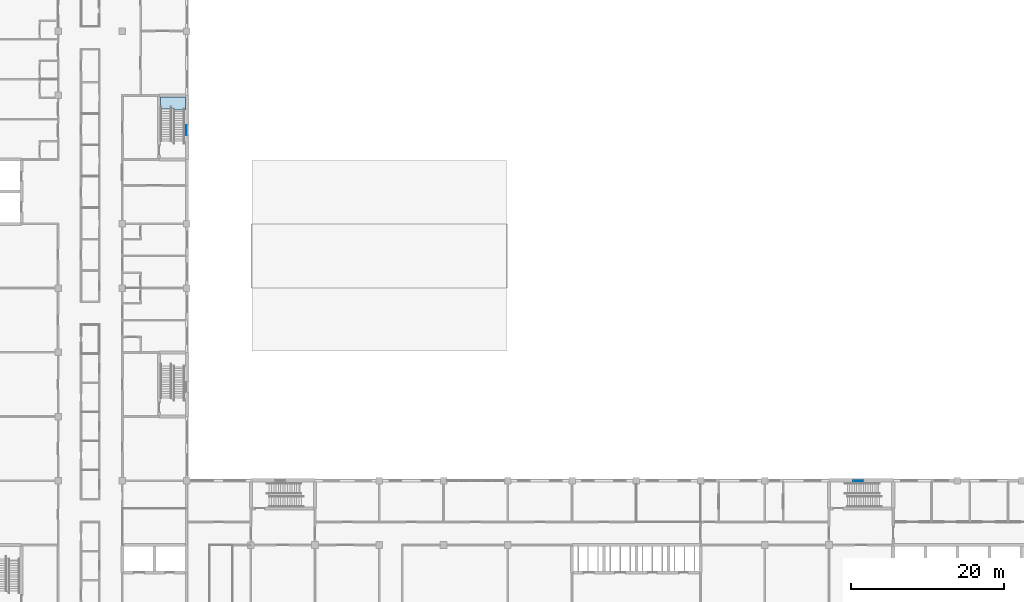
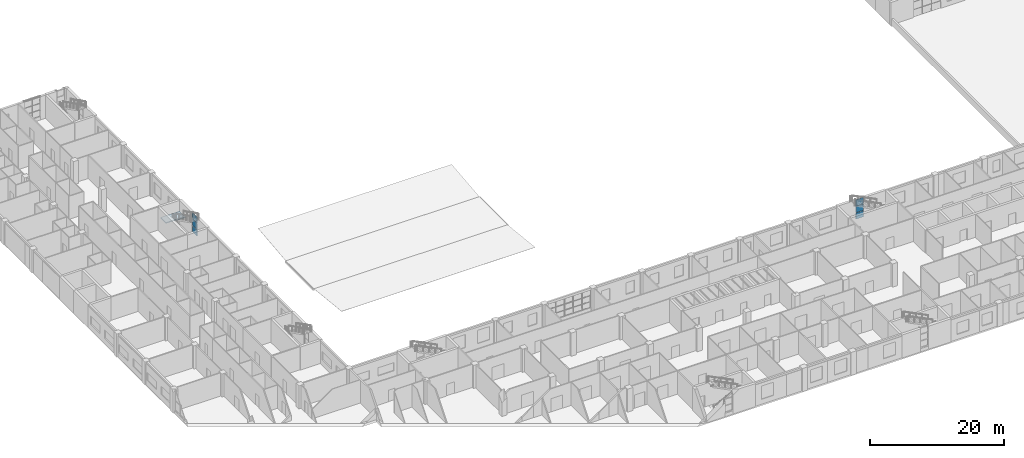
# One storey, part 28 of 66: 6 plates, 1 slab, 3 elements without a shape of their own.
"""IFC4 building model written with IfcOpenShell, lengths in metres."""

from ifc_helpers import new_model, si_unit, direction, frame, origin, origin_2d, place, context, subcontext, project, spatial, polyline, rectangle, outline, extrude, material, layer, layer_set, type_object, element, aggregate, save


model = new_model("IFC4")

# Units and contexts
model_context = context("Model", 3, precision=1e-05, world=origin(), true_north=direction((0.0, 1.0)))
body_context = subcontext(model_context, "Body", "Model", "MODEL_VIEW")
ifc_project = project(units=[si_unit("LENGTHUNIT", "METRE"), si_unit("AREAUNIT", "SQUARE_METRE"), si_unit("VOLUMEUNIT", "CUBIC_METRE"), si_unit("PLANEANGLEUNIT", "RADIAN"), si_unit("MASSUNIT", "GRAM", prefix="KILO")], contexts=[model_context])

# Site, building, storey
site_placement = place(None, origin())
site = spatial("IfcSite", under=ifc_project, at=site_placement, CompositionType="ELEMENT")
building_placement = place(site_placement, origin())
building = spatial("IfcBuilding", under=site, at=building_placement, Name="Yavir Park General Hospital", CompositionType="ELEMENT")
storey_placement = place(building_placement, frame((0.0, 0.0, 8.39990234375)))
storey = spatial("IfcBuildingStorey", under=building, at=storey_placement, Name="L02", CompositionType="ELEMENT", Elevation=8.39990234375)

# Stair, slab
ifc_material_1 = material(Name="Concrete C30/37", Category="concrete")
stair_type = type_object("IfcStairType", Name="Patient escape stair, 30 risers of 150 mm, 1400 mm flights", PredefinedType="HALF_TURN_STAIR", material=ifc_material_1)
stair_placement = place(storey_placement, origin())
stair = element("IfcStair", 1, at=stair_placement, inside=storey, type_object=stair_type, Name="Stair SW2, L02 to I02", PredefinedType="HALF_TURN_STAIR")
ifc_material_2 = material(Name="Concrete C30/37", Category="concrete")
ifc_layer_1 = layer(ifc_material_2, 0.159912109375)
ifc_layer_set_1 = layer_set([ifc_layer_1], Name="Concrete C30/37")
slab_type = type_object("IfcSlabType", Name="Patient escape stair half landing, reinforced concrete 160 mm", PredefinedType="LANDING", material=ifc_layer_set_1)
slab_placement = place(storey_placement, frame((0.0, 0.0, 2.090087890625)))
slab = element("IfcSlab", 2, at=slab_placement, type_object=slab_type, Name="SW2 landing 1", PredefinedType="LANDING", context=body_context, shape_type="SweptSolid", body=[
    extrude(outline(polyline([(21.800048828125, 82.198486328125), (21.800048828125, 83.800048828125), (25.050048828125, 83.800048828125), (25.050048828125, 82.050048828125), (23.5, 82.050048828125), (23.5, 82.198486328125), (21.800048828125, 82.198486328125)])), origin(), (0.0, 0.0, 1.0), 0.159912109375),
])
aggregate(stair, [slab])

# Curtain wall, plates
ifc_material_3 = material(Name="Aluminium curtain wall frame with insulated glazing", Category="aluminium")
curtain_wall_type = type_object("IfcCurtainWallType", Name="Stair light slot, podium, 3600 high, 1400 module", PredefinedType="NOTDEFINED", material=ifc_material_3)
curtain_wall_1_placement = place(storey_placement, origin())
curtain_wall_1 = element("IfcCurtainWall", 3, at=curtain_wall_1_placement, inside=storey, type_object=curtain_wall_type, Name="CW57 L02-007", PredefinedType="NOTDEFINED")
ifc_material_4 = material(Name="Fire-resisting glazed unit 70 mm")
ifc_layer_2 = layer(ifc_material_4, 0.070068359375)
ifc_layer_set_2 = layer_set([ifc_layer_2], Name="Fire-resisting glazed unit 70 mm")
plate_type = type_object("IfcPlateType", Name="Stair light slot, podium, 3600 high panel 70", PredefinedType="CURTAIN_PANEL", material=ifc_layer_set_2)
plate_1_placement = place(storey_placement, frame((113.050048828125, 33.60009765625, 0.650146484375), z_axis=(0.0, 0.0, 1.0), x_axis=(1.0, 0.0, 0.0)))
plate_1 = element("IfcPlate", 4, at=plate_1_placement, type_object=plate_type, Name="CW57 panel 1.1", PredefinedType="CURTAIN_PANEL", context=body_context, shape_type="SweptSolid", body=[
    extrude(rectangle(XDim=1.300048828125, YDim=0.070068359375, at=origin_2d()), origin(), (0.0, 0.0, 1.0), 1.125),
])
plate_2_placement = place(storey_placement, frame((113.050048828125, 33.60009765625, 1.8251953125), z_axis=(0.0, 0.0, 1.0), x_axis=(1.0, 0.0, 0.0)))
plate_2 = element("IfcPlate", 5, at=plate_2_placement, type_object=plate_type, Name="CW57 panel 1.2", PredefinedType="CURTAIN_PANEL", context=body_context, shape_type="SweptSolid", body=[
    extrude(rectangle(XDim=1.300048828125, YDim=0.070068359375, at=origin_2d()), origin(), (0.0, 0.0, 1.0), 1.14990234375),
])
plate_3_placement = place(storey_placement, frame((113.050048828125, 33.60009765625, 3.025146484375), z_axis=(0.0, 0.0, 1.0), x_axis=(1.0, 0.0, 0.0)))
plate_3 = element("IfcPlate", 6, at=plate_3_placement, type_object=plate_type, Name="CW57 panel 1.3", PredefinedType="CURTAIN_PANEL", context=body_context, shape_type="SweptSolid", body=[
    extrude(rectangle(XDim=1.300048828125, YDim=0.070068359375, at=origin_2d()), origin(), (0.0, 0.0, 1.0), 1.125),
])
aggregate(curtain_wall_1, [plate_1, plate_2, plate_3])

curtain_wall_2_placement = place(storey_placement, origin())
curtain_wall_2 = element("IfcCurtainWall", 7, at=curtain_wall_2_placement, inside=storey, type_object=curtain_wall_type, Name="CW57 L02-023", PredefinedType="NOTDEFINED")
plate_4_placement = place(storey_placement, frame((25.199951171875, 79.449951171875, 0.650146484375), z_axis=(0.0, 0.0, 1.0), x_axis=(0.0, 1.0, 0.0)))
plate_4 = element("IfcPlate", 8, at=plate_4_placement, type_object=plate_type, Name="CW57 panel 1.1", PredefinedType="CURTAIN_PANEL", context=body_context, shape_type="SweptSolid", body=[
    extrude(rectangle(XDim=1.300048828125, YDim=0.070068359375, at=origin_2d()), origin(), (0.0, 0.0, 1.0), 1.125),
])
plate_5_placement = place(storey_placement, frame((25.199951171875, 79.449951171875, 1.8251953125), z_axis=(0.0, 0.0, 1.0), x_axis=(0.0, 1.0, 0.0)))
plate_5 = element("IfcPlate", 9, at=plate_5_placement, type_object=plate_type, Name="CW57 panel 1.2", PredefinedType="CURTAIN_PANEL", context=body_context, shape_type="SweptSolid", body=[
    extrude(rectangle(XDim=1.300048828125, YDim=0.070068359375, at=origin_2d()), origin(), (0.0, 0.0, 1.0), 1.14990234375),
])
plate_6_placement = place(storey_placement, frame((25.199951171875, 79.449951171875, 3.025146484375), z_axis=(0.0, 0.0, 1.0), x_axis=(0.0, 1.0, 0.0)))
plate_6 = element("IfcPlate", 10, at=plate_6_placement, type_object=plate_type, Name="CW57 panel 1.3", PredefinedType="CURTAIN_PANEL", context=body_context, shape_type="SweptSolid", body=[
    extrude(rectangle(XDim=1.300048828125, YDim=0.070068359375, at=origin_2d()), origin(), (0.0, 0.0, 1.0), 1.125),
])
aggregate(curtain_wall_2, [plate_4, plate_5, plate_6])

save(model, "model.ifc")
